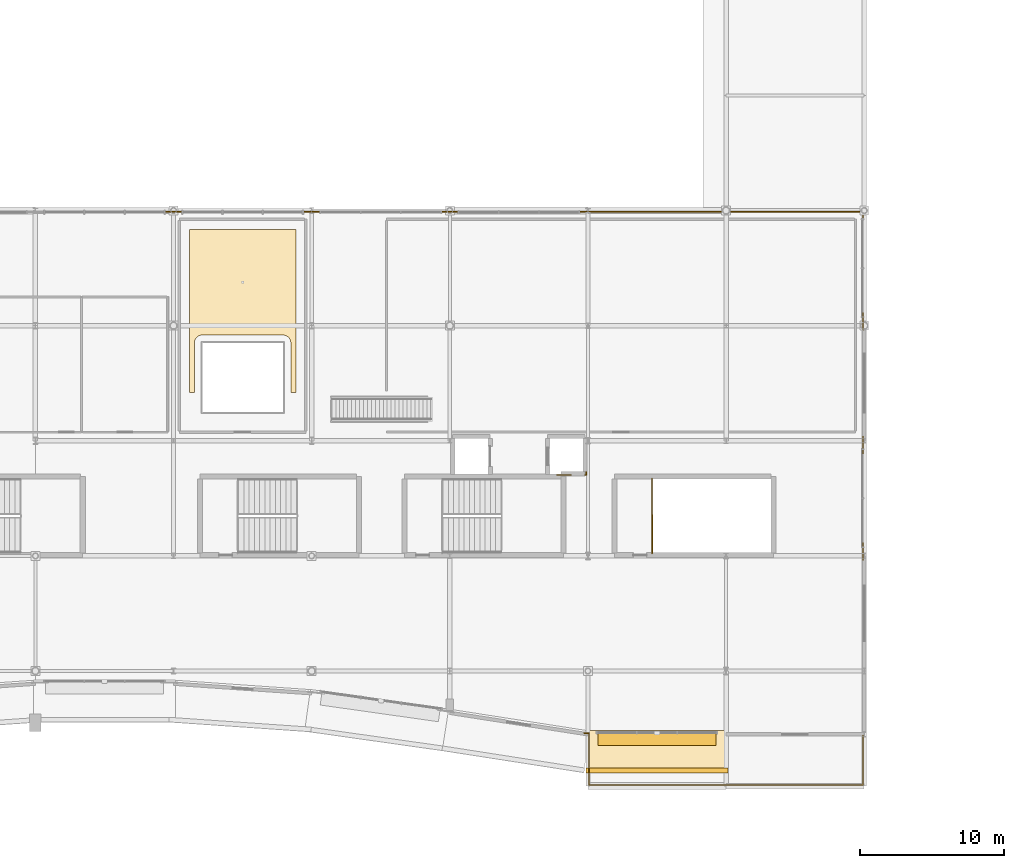
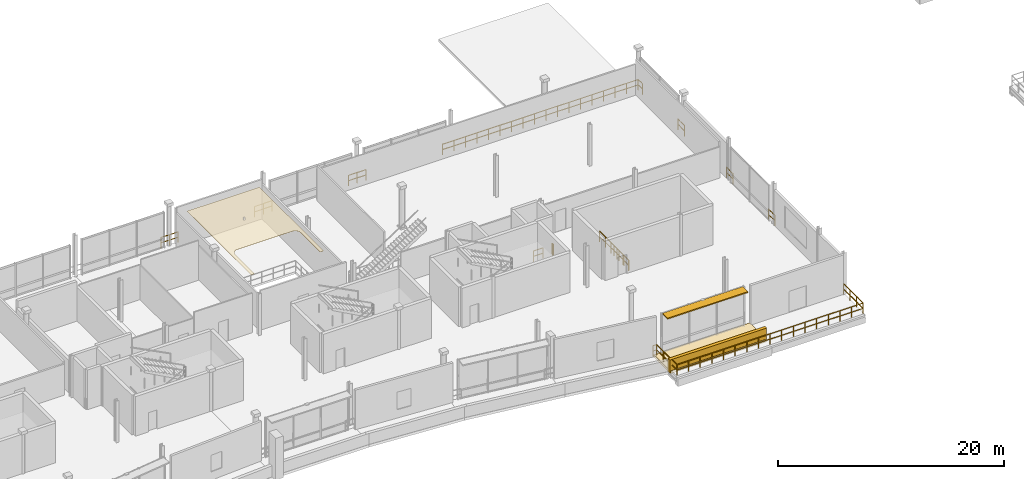
# One storey, part 53 of 59: 12 railings, 3 coverings, 1 shading device.
"""IFC4 building model written with IfcOpenShell, lengths in metres."""

import ifcopenshell
import ifcopenshell.guid

model = None  # the IFC model being written
_history = None  # IfcOwnerHistory: only IFC2X3 demands one
_inside = {}  # id of a spatial element -> (the spatial element, [elements in it])
_under = {}  # id of a project, library or spatial element -> (it, [spatial elements below it])
_declared = {}  # id of a project -> (the project, [libraries it declares])
_typed = {}  # id of a type object -> (the type object, [elements of that type])
_made_of = {}  # id of a material, layer set ... -> (it, [elements and type objects made of it])


def new_model(schema):
    """Start an empty IFC model of exactly this schema.

    Asked for "IFC4X3", IfcOpenShell would pick the latest addendum, in which some entities
    have other attributes; the version numbers below select the first issue.
    IFC2X3 requires an IfcOwnerHistory on every rooted entity: one is made here for all.
    """
    global model, _history
    if schema == "IFC4X3":
        model = ifcopenshell.file(schema_version=(4, 3, 0, 0))
    else:
        model = ifcopenshell.file(schema=schema)
    _inside.clear()
    _under.clear()
    _declared.clear()
    _typed.clear()
    _made_of.clear()
    _history = None
    if model.schema == "IFC2X3":
        org = make("IfcOrganization", Name="unknown")
        user = make(
            "IfcPersonAndOrganization",
            ThePerson=make("IfcPerson", FamilyName="unknown"),
            TheOrganization=org,
        )
        app = make(
            "IfcApplication",
            ApplicationDeveloper=org,
            Version="unknown",
            ApplicationFullName="unknown",
            ApplicationIdentifier="unknown",
        )
        _history = make(
            "IfcOwnerHistory",
            OwningUser=user,
            OwningApplication=app,
            ChangeAction="ADDED",
            CreationDate=0,
        )
    return model


def make(cls, **values):
    """One entity of the class cls with the attributes given. An attribute that is None is left unset."""
    return model.create_entity(
        cls, **{name: value for name, value in values.items() if value is not None}
    )


def rooted(cls, **values):
    """An entity with a GlobalId (a new one), such as an element, a storey or a relation."""
    return make(cls, GlobalId=ifcopenshell.guid.new(), OwnerHistory=_history, **values)


def si_unit(unit_type, name, prefix=None):
    """IfcSIUnit, for example si_unit("LENGTHUNIT", "METRE", prefix="MILLI")."""
    return make("IfcSIUnit", UnitType=unit_type, Prefix=prefix, Name=name)


def assignment(units):
    """IfcUnitAssignment: the units of a project."""
    return None if units is None else make("IfcUnitAssignment", Units=units)


def point(xyz):
    """IfcCartesianPoint."""
    return None if xyz is None else make("IfcCartesianPoint", Coordinates=xyz)


def direction(xyz):
    """IfcDirection."""
    return None if xyz is None else make("IfcDirection", DirectionRatios=xyz)


def frame(location, z_axis=None, x_axis=None):
    """IfcAxis2Placement3D, a coordinate frame: its origin and axes. An axis left out is left unset."""
    return make(
        "IfcAxis2Placement3D",
        Location=point(location),
        Axis=direction(z_axis),
        RefDirection=direction(x_axis),
    )


def frame_2d(location, x_axis=None):
    """IfcAxis2Placement2D, a coordinate frame in the plane: its origin and x axis."""
    return make(
        "IfcAxis2Placement2D", Location=point(location), RefDirection=direction(x_axis)
    )


def origin():
    """The frame at (0, 0, 0) with its axes left unset."""
    return frame((0.0, 0.0, 0.0))


def origin_2d():
    """The frame at (0, 0) in the plane with its x axis left unset."""
    return frame_2d((0.0, 0.0))


def place(relative_to, where):
    """IfcLocalPlacement: puts the frame where relative to a parent placement (None: the world)."""
    return make(
        "IfcLocalPlacement", PlacementRelTo=relative_to, RelativePlacement=where
    )


def context(
    kind, dimensions, precision=None, world=None, true_north=None, identifier=None
):
    """IfcGeometricRepresentationContext, for example the 3D "Model" context."""
    return make(
        "IfcGeometricRepresentationContext",
        ContextIdentifier=identifier,
        ContextType=kind,
        CoordinateSpaceDimension=dimensions,
        Precision=precision,
        WorldCoordinateSystem=world,
        TrueNorth=true_north,
    )


def subcontext(parent, identifier, kind, view, scale=None):
    """IfcGeometricRepresentationSubContext, for example "Body" below "Model"."""
    return make(
        "IfcGeometricRepresentationSubContext",
        ContextIdentifier=identifier,
        ContextType=kind,
        ParentContext=parent,
        TargetScale=scale,
        TargetView=view,
    )


def project(units=None, contexts=None):
    """IfcProject with its units and contexts."""
    return rooted(
        "IfcProject",
        Name="project",
        RepresentationContexts=contexts,
        UnitsInContext=assignment(units),
    )


def spatial(cls, under=None, at=None, **own):
    """A site, building, storey or space (cls), placed at a placement, below another one or the project."""
    s = rooted(cls, ObjectPlacement=at, **own)
    if under is not None:
        _under.setdefault(under.id(), (under, []))[1].append(s)
    return s


def polyline(points):
    """IfcPolyline through the points."""
    return make("IfcPolyline", Points=[point(p) for p in points])


def profile(cls, at=None, kind="AREA", **sizes):
    """A parametric profile (cls). Its sizes go by their IFC names, for example OverallWidth=200.0."""
    return make(cls, ProfileType=kind, Position=at, **sizes)


def rectangle(**sizes):
    """IfcRectangleProfileDef."""
    return profile("IfcRectangleProfileDef", **sizes)


def circle(**sizes):
    """IfcCircleProfileDef."""
    return profile("IfcCircleProfileDef", **sizes)


def outline(outer, holes=None, kind="AREA"):
    """IfcArbitraryClosedProfileDef: a profile drawn as a closed curve; with holes, ...WithVoids."""
    if holes is None:
        return make("IfcArbitraryClosedProfileDef", ProfileType=kind, OuterCurve=outer)
    return make(
        "IfcArbitraryProfileDefWithVoids",
        ProfileType=kind,
        OuterCurve=outer,
        InnerCurves=holes,
    )


def extrude(swept, where, along, depth):
    """IfcExtrudedAreaSolid: the profile swept, set in the frame where, extruded along a direction by depth."""
    return make(
        "IfcExtrudedAreaSolid",
        SweptArea=swept,
        Position=where,
        ExtrudedDirection=direction(along),
        Depth=depth,
    )


def shape(context_of_items, identifier, shape_type, items):
    """IfcShapeRepresentation: the items that make up one representation, for example the "Body"."""
    return make(
        "IfcShapeRepresentation",
        ContextOfItems=context_of_items,
        RepresentationIdentifier=identifier,
        RepresentationType=shape_type,
        Items=items,
    )


def material(Name=None, Category=None):
    """IfcMaterial."""
    return make("IfcMaterial", Name=Name, Category=Category)


def layer(
    of_material, thickness, ventilated=None, Name=None, Category=None, Priority=None
):
    """IfcMaterialLayer: one layer of a wall or slab, of a material (None: an air gap)."""
    return make(
        "IfcMaterialLayer",
        Material=of_material,
        LayerThickness=thickness,
        IsVentilated=ventilated,
        Name=Name,
        Category=Category,
        Priority=Priority,
    )


def layer_set(layers, Name=None):
    """IfcMaterialLayerSet."""
    return make("IfcMaterialLayerSet", MaterialLayers=layers, LayerSetName=Name)


def made_of(thing, what):
    """Note that an element or type object is made of a material, layer set ...; save() writes the relation."""
    if what is not None:
        _made_of.setdefault(what.id(), (what, []))[1].append(thing)
    return thing


def type_object(cls, material=None, **own):
    """A type object (cls), such as IfcWallType, which elements share."""
    return made_of(rooted(cls, **own), material)


def element(
    cls,
    number,
    at=None,
    inside=None,
    cuts=None,
    type_object=None,
    material=None,
    context=None,
    identifier="Body",
    shape_type=None,
    held_by="IfcProductDefinitionShape",
    body=None,
    shapes=None,
    **own,
):
    """One element of the class cls, such as IfcWall. Its Tag is "e" and its number.

    at: its placement. inside: the storey or other place that contains it. cuts: it is an
    opening in that element (IfcRelVoidsElement). A single representation is given by context,
    identifier, shape_type and body (its items); several are given by shapes. held_by: the class
    of the entity that holds the representations. save() writes the other relations.
    """
    e = rooted(cls, Tag="e%d" % number, ObjectPlacement=at, **own)
    if body is not None:
        shapes = [shape(context, identifier, shape_type, body)]
    if shapes is not None:
        e.Representation = make(held_by, Representations=shapes)
    if inside is not None:
        _inside.setdefault(inside.id(), (inside, []))[1].append(e)
    if cuts is not None:
        rooted(
            "IfcRelVoidsElement", RelatingBuildingElement=cuts, RelatedOpeningElement=e
        )
    if type_object is not None:
        _typed.setdefault(type_object.id(), (type_object, []))[1].append(e)
    return made_of(e, material)


def aggregate(whole, parts):
    """IfcRelAggregates: a whole, such as a stair, and the parts it consists of."""
    return rooted("IfcRelAggregates", RelatingObject=whole, RelatedObjects=parts)


def save(model, path):
    """Write the relations noted so far, then the file.

    IfcRelAggregates (storeys below a building ...), IfcRelContainedInSpatialStructure (elements
    in a storey), IfcRelDefinesByType, IfcRelAssociatesMaterial and IfcRelDeclares: one each for
    every whole, place, type object, material and project.
    """
    for whole, parts in _under.values():
        aggregate(whole, parts)
    for where, things in _inside.values():
        rooted(
            "IfcRelContainedInSpatialStructure",
            RelatedElements=things,
            RelatingStructure=where,
        )
    for kind, things in _typed.values():
        rooted("IfcRelDefinesByType", RelatedObjects=things, RelatingType=kind)
    for what, things in _made_of.values():
        rooted("IfcRelAssociatesMaterial", RelatedObjects=things, RelatingMaterial=what)
    for by, libraries in _declared.values():
        rooted("IfcRelDeclares", RelatingContext=by, RelatedDefinitions=libraries)
    model.write(path)


model = new_model("IFC4")

# Units and contexts
model_context = context("Model", 3, precision=1e-05, world=origin(), true_north=direction((0.0, 1.0)))
body_context = subcontext(model_context, "Body", "Model", "MODEL_VIEW")
ifc_project = project(units=[si_unit("LENGTHUNIT", "METRE"), si_unit("AREAUNIT", "SQUARE_METRE"), si_unit("VOLUMEUNIT", "CUBIC_METRE"), si_unit("PLANEANGLEUNIT", "RADIAN"), si_unit("MASSUNIT", "GRAM", prefix="KILO")], contexts=[model_context])

# Site, building, storey
site_placement = place(None, origin())
site = spatial("IfcSite", under=ifc_project, at=site_placement, CompositionType="ELEMENT")
building_placement = place(site_placement, origin())
building = spatial("IfcBuilding", under=site, at=building_placement, Name="Danafjord Basin Convention Centre", CompositionType="ELEMENT")
storey_placement = place(building_placement, frame((0.0, 0.0, 15.89990234375)))
storey = spatial("IfcBuildingStorey", under=building, at=storey_placement, Name="L03", CompositionType="ELEMENT", Elevation=15.89990234375)

# Coverings
ifc_material_1 = material(Name="Architectural white precast concrete C45/55", Category="concrete")
ifc_layer_1 = layer(ifc_material_1, 0.320068359375)
ifc_layer_set_1 = layer_set([ifc_layer_1], Name="Architectural white precast concrete C45/55")
covering_type_1 = type_object("IfcCoveringType", Name="COV-BAND-HORIZ", PredefinedType="CLADDING", material=ifc_layer_set_1)
covering_1_placement = place(storey_placement, frame((100.800048828125, 2.375, -0.27978515625), z_axis=(0.0, 0.0, 1.0), x_axis=(1.0, 0.0, 0.0)))
element("IfcCovering", 1, at=covering_1_placement, inside=storey, type_object=covering_type_1, Name="L03 stepped horizontal band soffit plate 35", PredefinedType="CLADDING", context=body_context, shape_type="SweptSolid", body=[
    extrude(rectangle(XDim=9.840087890625, YDim=2.949951171875, at=origin_2d()), origin(), (0.0, 0.0, 1.0), 0.280029296875),
])
covering_2_placement = place(storey_placement, frame((100.800048828125, 1.090087890625, -0.23974609375), z_axis=(0.0, 0.0, 1.0), x_axis=(1.0, 0.0, 0.0)))
element("IfcCovering", 2, at=covering_2_placement, inside=storey, type_object=covering_type_1, Name="L03 layered horizontal white spandrel band 35", PredefinedType="CLADDING", context=body_context, shape_type="SweptSolid", body=[
    extrude(rectangle(XDim=9.8798828125, YDim=0.320068359375, at=origin_2d()), origin(), (0.0, 0.0, 1.0), 1.419921875),
])
ifc_material_2 = material(Name="Acoustic mineral-fibre tile ceiling")
ifc_layer_2 = layer(ifc_material_2, 0.030029296875)
ifc_layer_set_2 = layer_set([ifc_layer_2], Name="Acoustic mineral-fibre tile ceiling")
covering_type_2 = type_object("IfcCoveringType", Name="COV-CLG-GYP01", PredefinedType="CEILING", material=ifc_layer_set_2)
covering_3_placement = place(storey_placement, frame((0.0, 0.0, 4.0)))
element("IfcCovering", 3, at=covering_3_placement, inside=storey, type_object=covering_type_2, Name="Gota Boardroom Suite M304 acoustic ceiling", PredefinedType="CEILING", context=body_context, shape_type="SweptSolid", body=[
    extrude(outline(polyline([(75.699951171875, 38.699951171875), (75.699951171875, 27.35009765625), (75.35009765625, 27.35009765625), (75.35009765625, 30.800048828125), (75.346923828125, 30.85400390625), (75.339111328125, 30.906982421875), (75.325927734375, 30.9599609375), (75.30810546875, 31.010009765625), (75.284912109375, 31.05908203125), (75.257080078125, 31.10595703125), (75.22509765625, 31.14892578125), (75.18896484375, 31.18896484375), (75.14892578125, 31.22509765625), (75.10595703125, 31.257080078125), (75.05908203125, 31.284912109375), (75.010009765625, 31.30810546875), (74.9599609375, 31.325927734375), (74.906982421875, 31.339111328125), (74.85400390625, 31.346923828125), (74.800048828125, 31.35009765625), (69.199951171875, 31.35009765625), (69.14599609375, 31.346923828125), (69.093017578125, 31.339111328125), (69.0400390625, 31.325927734375), (68.989990234375, 31.30810546875), (68.94091796875, 31.284912109375), (68.89404296875, 31.257080078125), (68.85107421875, 31.22509765625), (68.81103515625, 31.18896484375), (68.77490234375, 31.14892578125), (68.742919921875, 31.10595703125), (68.715087890625, 31.05908203125), (68.69189453125, 31.010009765625), (68.674072265625, 30.9599609375), (68.660888671875, 30.906982421875), (68.653076171875, 30.85400390625), (68.64990234375, 30.800048828125), (68.64990234375, 27.35009765625), (68.300048828125, 27.35009765625), (68.300048828125, 38.699951171875), (75.699951171875, 38.699951171875)])), origin(), (0.0, 0.0, 1.0), 0.030029296875),
])

# Railings
ifc_material_3 = material(Name="Laminated structural glass and stainless steel", Category="steel")
railing_type_1 = type_object("IfcRailingType", Name="RL-BAL-GLS", PredefinedType="BALUSTRADE", material=ifc_material_3)
for number, where, name in (
    (4, (66.320068359375, 39.919921875, 0.0), "L03 safety guard balustrade 243"),
    (5, (75.919921875, 39.919921875, 0.0), "L03 safety guard balustrade 244"),
    (6, (85.52001953125, 39.919921875, 0.0), "L03 safety guard balustrade 245"),
):
    element("IfcRailing", number, at=place(storey_placement, frame(where)), inside=storey, type_object=railing_type_1, Name=name, PredefinedType="BALUSTRADE", context=body_context, shape_type="SweptSolid", body=[
        extrude(circle(Radius=0.02392578125, at=origin_2d()), frame((0.0, 0.0, 1.1259765625), z_axis=(1.0, 0.0, 0.0), x_axis=(0.0, 1.0, 0.0)), (0.0, 0.0, 1.0), 1.760009765625),
        extrude(circle(Radius=0.02392578125, at=origin_2d()), frame((0.0, 0.0, 0.55078125), z_axis=(1.0, 0.0, 0.0), x_axis=(0.0, 1.0, 0.0)), (0.0, 0.0, 1.0), 1.760009765625),
        extrude(circle(Radius=0.02099609375, at=origin_2d()), origin(), (0.0, 0.0, 1.0), 1.099853515625),
        extrude(circle(Radius=0.02099609375, at=origin_2d()), frame((0.8798828125, 0.0, 0.0)), (0.0, 0.0, 1.0), 1.099853515625),
        extrude(circle(Radius=0.02099609375, at=origin_2d()), frame((1.760009765625, 0.0, 0.0)), (0.0, 0.0, 1.0), 1.099853515625),
    ])
railing_1_placement = place(storey_placement, frame((95.1201171875, 39.919921875, 0.0)))
element("IfcRailing", 7, at=railing_1_placement, inside=storey, type_object=railing_type_1, Name="L03 safety guard balustrade 246", PredefinedType="BALUSTRADE", context=body_context, shape_type="SweptSolid", body=[
    extrude(circle(Radius=0.02392578125, at=origin_2d()), frame((0.0, 0.0, 1.1259765625), z_axis=(1.0, 0.0, 0.0), x_axis=(0.0, 1.0, 0.0)), (0.0, 0.0, 1.0), 20.0),
    extrude(circle(Radius=0.02392578125, at=origin_2d()), frame((0.0, 0.0, 0.55078125), z_axis=(1.0, 0.0, 0.0), x_axis=(0.0, 1.0, 0.0)), (0.0, 0.0, 1.0), 20.0),
    extrude(circle(Radius=0.02392578125, at=origin_2d()), frame((20.0, 0.0, 1.1259765625), z_axis=(0.0, -1.0, 0.0), x_axis=(1.0, 0.0, 0.0)), (0.0, 0.0, 1.0), 0.7998046875),
    extrude(circle(Radius=0.02392578125, at=origin_2d()), frame((20.0, 0.0, 0.55078125), z_axis=(0.0, -1.0, 0.0), x_axis=(1.0, 0.0, 0.0)), (0.0, 0.0, 1.0), 0.7998046875),
    extrude(circle(Radius=0.02099609375, at=origin_2d()), origin(), (0.0, 0.0, 1.0), 1.099853515625),
    extrude(circle(Radius=0.02099609375, at=origin_2d()), frame((1.176513671875, 0.0, 0.0)), (0.0, 0.0, 1.0), 1.099853515625),
    extrude(circle(Radius=0.02099609375, at=origin_2d()), frame((2.35302734375, 0.0, 0.0)), (0.0, 0.0, 1.0), 1.099853515625),
    extrude(circle(Radius=0.02099609375, at=origin_2d()), frame((3.529296875, 0.0, 0.0)), (0.0, 0.0, 1.0), 1.099853515625),
    extrude(circle(Radius=0.02099609375, at=origin_2d()), frame((4.705810546875, 0.0, 0.0)), (0.0, 0.0, 1.0), 1.099853515625),
    extrude(circle(Radius=0.02099609375, at=origin_2d()), frame((5.88232421875, 0.0, 0.0)), (0.0, 0.0, 1.0), 1.099853515625),
    extrude(circle(Radius=0.02099609375, at=origin_2d()), frame((7.058837890625, 0.0, 0.0)), (0.0, 0.0, 1.0), 1.099853515625),
    extrude(circle(Radius=0.02099609375, at=origin_2d()), frame((8.2353515625, 0.0, 0.0)), (0.0, 0.0, 1.0), 1.099853515625),
    extrude(circle(Radius=0.02099609375, at=origin_2d()), frame((9.411865234375, 0.0, 0.0)), (0.0, 0.0, 1.0), 1.099853515625),
    extrude(circle(Radius=0.02099609375, at=origin_2d()), frame((10.588134765625, 0.0, 0.0)), (0.0, 0.0, 1.0), 1.099853515625),
    extrude(circle(Radius=0.02099609375, at=origin_2d()), frame((11.7646484375, 0.0, 0.0)), (0.0, 0.0, 1.0), 1.099853515625),
    extrude(circle(Radius=0.02099609375, at=origin_2d()), frame((12.941162109375, 0.0, 0.0)), (0.0, 0.0, 1.0), 1.099853515625),
    extrude(circle(Radius=0.02099609375, at=origin_2d()), frame((14.11767578125, 0.0, 0.0)), (0.0, 0.0, 1.0), 1.099853515625),
    extrude(circle(Radius=0.02099609375, at=origin_2d()), frame((15.294189453125, 0.0, 0.0)), (0.0, 0.0, 1.0), 1.099853515625),
    extrude(circle(Radius=0.02099609375, at=origin_2d()), frame((16.470703125, 0.0, 0.0)), (0.0, 0.0, 1.0), 1.099853515625),
    extrude(circle(Radius=0.02099609375, at=origin_2d()), frame((17.64697265625, 0.0, 0.0)), (0.0, 0.0, 1.0), 1.099853515625),
    extrude(circle(Radius=0.02099609375, at=origin_2d()), frame((18.823486328125, 0.0, 0.0)), (0.0, 0.0, 1.0), 1.099853515625),
    extrude(circle(Radius=0.02099609375, at=origin_2d()), frame((20.0, 0.0, 0.0)), (0.0, 0.0, 1.0), 1.099853515625),
    extrude(circle(Radius=0.02099609375, at=origin_2d()), frame((20.0, -0.7998046875, 0.0)), (0.0, 0.0, 1.0), 1.099853515625),
])
for number, where, name in (
    (8, (115.1201171875, 32.8798828125, 0.0), "L03 safety guard balustrade 247"),
    (9, (115.1201171875, 24.280029296875, 0.0), "L03 safety guard balustrade 248"),
    (10, (115.1201171875, 16.8798828125, 0.0), "L03 safety guard balustrade 249"),
):
    element("IfcRailing", number, at=place(storey_placement, frame(where)), inside=storey, type_object=railing_type_1, Name=name, PredefinedType="BALUSTRADE", context=body_context, shape_type="SweptSolid", body=[
        extrude(circle(Radius=0.02392578125, at=origin_2d()), frame((0.0, 0.0, 1.1259765625), z_axis=(0.0, -1.0, 0.0), x_axis=(1.0, 0.0, 0.0)), (0.0, 0.0, 1.0), 1.159912109375),
        extrude(circle(Radius=0.02392578125, at=origin_2d()), frame((0.0, 0.0, 0.55078125), z_axis=(0.0, -1.0, 0.0), x_axis=(1.0, 0.0, 0.0)), (0.0, 0.0, 1.0), 1.159912109375),
        extrude(circle(Radius=0.02099609375, at=origin_2d()), origin(), (0.0, 0.0, 1.0), 1.099853515625),
        extrude(circle(Radius=0.02099609375, at=origin_2d()), frame((0.0, -1.159912109375, 0.0)), (0.0, 0.0, 1.0), 1.099853515625),
    ])
railing_2_placement = place(storey_placement, frame((115.1201171875, 3.52490234375, 0.0)))
element("IfcRailing", 11, at=railing_2_placement, inside=storey, type_object=railing_type_1, Name="L03 safety guard balustrade 250", PredefinedType="BALUSTRADE", context=body_context, shape_type="SweptSolid", body=[
    extrude(circle(Radius=0.02392578125, at=origin_2d()), frame((0.0, 0.0, 1.1259765625), z_axis=(0.0, -1.0, 0.0), x_axis=(1.0, 0.0, 0.0)), (0.0, 0.0, 1.0), 3.44482421875),
    extrude(circle(Radius=0.02392578125, at=origin_2d()), frame((0.0, 0.0, 0.55078125), z_axis=(0.0, -1.0, 0.0), x_axis=(1.0, 0.0, 0.0)), (0.0, 0.0, 1.0), 3.44482421875),
    extrude(circle(Radius=0.02392578125, at=origin_2d()), frame((0.0, -3.44482421875, 1.1259765625), z_axis=(-1.0, 0.0, 0.0), x_axis=(0.0, -1.0, 0.0)), (0.0, 0.0, 1.0), 19.0400390625),
    extrude(circle(Radius=0.02392578125, at=origin_2d()), frame((0.0, -3.44482421875, 0.55078125), z_axis=(-1.0, 0.0, 0.0), x_axis=(0.0, -1.0, 0.0)), (0.0, 0.0, 1.0), 19.0400390625),
    extrude(circle(Radius=0.02392578125, at=origin_2d()), frame((-19.0400390625, -3.44482421875, 1.1259765625), z_axis=(0.0, 1.0, 0.0), x_axis=(-1.0, 0.0, 0.0)), (0.0, 0.0, 1.0), 3.599853515625),
    extrude(circle(Radius=0.02392578125, at=origin_2d()), frame((-19.0400390625, -3.44482421875, 0.55078125), z_axis=(0.0, 1.0, 0.0), x_axis=(-1.0, 0.0, 0.0)), (0.0, 0.0, 1.0), 3.599853515625),
    extrude(circle(Radius=0.02392578125, at=origin_2d()), frame((-19.0400390625, 0.155029296875, 1.1259765625), z_axis=(-1.0, 0.0, 0.0), x_axis=(0.0, -1.0, 0.0)), (0.0, 0.0, 1.0), 0.34814453125),
    extrude(circle(Radius=0.02392578125, at=origin_2d()), frame((-19.0400390625, 0.155029296875, 0.55078125), z_axis=(-1.0, 0.0, 0.0), x_axis=(0.0, -1.0, 0.0)), (0.0, 0.0, 1.0), 0.34814453125),
    extrude(circle(Radius=0.02099609375, at=origin_2d()), origin(), (0.0, 0.0, 1.0), 1.099853515625),
    extrude(circle(Radius=0.02099609375, at=origin_2d()), frame((0.0, -1.148193359375, 0.0)), (0.0, 0.0, 1.0), 1.099853515625),
    extrude(circle(Radius=0.02099609375, at=origin_2d()), frame((0.0, -2.296630859375, 0.0)), (0.0, 0.0, 1.0), 1.099853515625),
    extrude(circle(Radius=0.02099609375, at=origin_2d()), frame((0.0, -3.44482421875, 0.0)), (0.0, 0.0, 1.0), 1.099853515625),
    extrude(circle(Radius=0.02099609375, at=origin_2d()), frame((-1.18994140625, -3.44482421875, 0.0)), (0.0, 0.0, 1.0), 1.099853515625),
    extrude(circle(Radius=0.02099609375, at=origin_2d()), frame((-2.3798828125, -3.44482421875, 0.0)), (0.0, 0.0, 1.0), 1.099853515625),
    extrude(circle(Radius=0.02099609375, at=origin_2d()), frame((-3.570068359375, -3.44482421875, 0.0)), (0.0, 0.0, 1.0), 1.099853515625),
    extrude(circle(Radius=0.02099609375, at=origin_2d()), frame((-4.760009765625, -3.44482421875, 0.0)), (0.0, 0.0, 1.0), 1.099853515625),
    extrude(circle(Radius=0.02099609375, at=origin_2d()), frame((-5.949951171875, -3.44482421875, 0.0)), (0.0, 0.0, 1.0), 1.099853515625),
    extrude(circle(Radius=0.02099609375, at=origin_2d()), frame((-7.14013671875, -3.44482421875, 0.0)), (0.0, 0.0, 1.0), 1.099853515625),
    extrude(circle(Radius=0.02099609375, at=origin_2d()), frame((-8.330078125, -3.44482421875, 0.0)), (0.0, 0.0, 1.0), 1.099853515625),
    extrude(circle(Radius=0.02099609375, at=origin_2d()), frame((-9.52001953125, -3.44482421875, 0.0)), (0.0, 0.0, 1.0), 1.099853515625),
    extrude(circle(Radius=0.02099609375, at=origin_2d()), frame((-10.7099609375, -3.44482421875, 0.0)), (0.0, 0.0, 1.0), 1.099853515625),
    extrude(circle(Radius=0.02099609375, at=origin_2d()), frame((-11.89990234375, -3.44482421875, 0.0)), (0.0, 0.0, 1.0), 1.099853515625),
    extrude(circle(Radius=0.02099609375, at=origin_2d()), frame((-13.090087890625, -3.44482421875, 0.0)), (0.0, 0.0, 1.0), 1.099853515625),
    extrude(circle(Radius=0.02099609375, at=origin_2d()), frame((-14.280029296875, -3.44482421875, 0.0)), (0.0, 0.0, 1.0), 1.099853515625),
    extrude(circle(Radius=0.02099609375, at=origin_2d()), frame((-15.469970703125, -3.44482421875, 0.0)), (0.0, 0.0, 1.0), 1.099853515625),
    extrude(circle(Radius=0.02099609375, at=origin_2d()), frame((-16.66015625, -3.44482421875, 0.0)), (0.0, 0.0, 1.0), 1.099853515625),
    extrude(circle(Radius=0.02099609375, at=origin_2d()), frame((-17.85009765625, -3.44482421875, 0.0)), (0.0, 0.0, 1.0), 1.099853515625),
    extrude(circle(Radius=0.02099609375, at=origin_2d()), frame((-19.0400390625, -3.44482421875, 0.0)), (0.0, 0.0, 1.0), 1.099853515625),
    extrude(circle(Radius=0.02099609375, at=origin_2d()), frame((-19.0400390625, -2.244873046875, 0.0)), (0.0, 0.0, 1.0), 1.099853515625),
    extrude(circle(Radius=0.02099609375, at=origin_2d()), frame((-19.0400390625, -1.044921875, 0.0)), (0.0, 0.0, 1.0), 1.099853515625),
    extrude(circle(Radius=0.02099609375, at=origin_2d()), frame((-19.0400390625, 0.155029296875, 0.0)), (0.0, 0.0, 1.0), 1.099853515625),
    extrude(circle(Radius=0.02099609375, at=origin_2d()), frame((-19.38818359375, 0.155029296875, 0.0)), (0.0, 0.0, 1.0), 1.099853515625),
])
railing_3_placement = place(storey_placement, frame((100.449951171875, 21.375, 0.0)))
element("IfcRailing", 12, at=railing_3_placement, inside=storey, type_object=railing_type_1, Name="L03 safety guard balustrade 260", PredefinedType="BALUSTRADE", context=body_context, shape_type="SweptSolid", body=[
    extrude(circle(Radius=0.02392578125, at=origin_2d()), frame((0.0, 0.0, 1.1259765625), z_axis=(0.0, -1.0, 0.0), x_axis=(1.0, 0.0, 0.0)), (0.0, 0.0, 1.0), 5.18994140625),
    extrude(circle(Radius=0.02392578125, at=origin_2d()), frame((0.0, 0.0, 0.55078125), z_axis=(0.0, -1.0, 0.0), x_axis=(1.0, 0.0, 0.0)), (0.0, 0.0, 1.0), 5.18994140625),
    extrude(circle(Radius=0.02099609375, at=origin_2d()), origin(), (0.0, 0.0, 1.0), 1.099853515625),
    extrude(circle(Radius=0.02099609375, at=origin_2d()), frame((0.0, -1.0380859375, 0.0)), (0.0, 0.0, 1.0), 1.099853515625),
    extrude(circle(Radius=0.02099609375, at=origin_2d()), frame((0.0, -2.075927734375, 0.0)), (0.0, 0.0, 1.0), 1.099853515625),
    extrude(circle(Radius=0.02099609375, at=origin_2d()), frame((0.0, -3.114013671875, 0.0)), (0.0, 0.0, 1.0), 1.099853515625),
    extrude(circle(Radius=0.02099609375, at=origin_2d()), frame((0.0, -4.15185546875, 0.0)), (0.0, 0.0, 1.0), 1.099853515625),
    extrude(circle(Radius=0.02099609375, at=origin_2d()), frame((0.0, -5.18994140625, 0.0)), (0.0, 0.0, 1.0), 1.099853515625),
])
railing_4_placement = place(storey_placement, frame((95.800048828125, 21.6201171875, 0.0)))
element("IfcRailing", 13, at=railing_4_placement, inside=storey, type_object=railing_type_1, Name="L03 safety guard balustrade 262", PredefinedType="BALUSTRADE", context=body_context, shape_type="SweptSolid", body=[
    extrude(circle(Radius=0.02392578125, at=origin_2d()), frame((0.0, 0.0, 1.1259765625), z_axis=(1.0, 0.0, 0.0), x_axis=(0.0, 1.0, 0.0)), (0.0, 0.0, 1.0), 0.079833984375),
    extrude(circle(Radius=0.02392578125, at=origin_2d()), frame((0.0, 0.0, 0.55078125), z_axis=(1.0, 0.0, 0.0), x_axis=(0.0, 1.0, 0.0)), (0.0, 0.0, 1.0), 0.079833984375),
    extrude(circle(Radius=0.02392578125, at=origin_2d()), frame((0.079833984375, 0.0, 1.1259765625), z_axis=(0.0, 1.0, 0.0), x_axis=(-1.0, 0.0, 0.0)), (0.0, 0.0, 1.0), 0.21484375),
    extrude(circle(Radius=0.02392578125, at=origin_2d()), frame((0.079833984375, 0.0, 0.55078125), z_axis=(0.0, 1.0, 0.0), x_axis=(-1.0, 0.0, 0.0)), (0.0, 0.0, 1.0), 0.21484375),
    extrude(circle(Radius=0.02099609375, at=origin_2d()), origin(), (0.0, 0.0, 1.0), 1.099853515625),
    extrude(circle(Radius=0.02099609375, at=origin_2d()), frame((0.079833984375, 0.0, 0.0)), (0.0, 0.0, 1.0), 1.099853515625),
    extrude(circle(Radius=0.02099609375, at=origin_2d()), frame((0.079833984375, 0.21484375, 0.0)), (0.0, 0.0, 1.0), 1.099853515625),
])
ifc_material_4 = material(Name="Galvanised and powder-coated steel S355", Category="steel")
railing_type_2 = type_object("IfcRailingType", Name="RL-BAL-STL", PredefinedType="BALUSTRADE", material=ifc_material_4)
railing_5_placement = place(storey_placement, frame((93.85009765625, 21.6201171875, 0.0)))
element("IfcRailing", 14, at=railing_5_placement, inside=storey, type_object=railing_type_2, Name="L03 safety guard balustrade 261", PredefinedType="BALUSTRADE", context=body_context, shape_type="SweptSolid", body=[
    extrude(circle(Radius=0.02392578125, at=origin_2d()), frame((0.0, 0.0, 1.1259765625), z_axis=(1.0, 0.0, 0.0), x_axis=(0.0, 1.0, 0.0)), (0.0, 0.0, 1.0), 0.969970703125),
    extrude(circle(Radius=0.02392578125, at=origin_2d()), frame((0.0, 0.0, 0.55078125), z_axis=(1.0, 0.0, 0.0), x_axis=(0.0, 1.0, 0.0)), (0.0, 0.0, 1.0), 0.969970703125),
    extrude(circle(Radius=0.02099609375, at=origin_2d()), origin(), (0.0, 0.0, 1.0), 1.099853515625),
    extrude(circle(Radius=0.02099609375, at=origin_2d()), frame((0.969970703125, 0.0, 0.0)), (0.0, 0.0, 1.0), 1.099853515625),
])
ifc_material_5 = material(Name="Galvanised steel S355", Category="steel")
railing_type_3 = type_object("IfcRailingType", Name="RL-GD-WELL", PredefinedType="BALUSTRADE", material=ifc_material_5)
railing_6_placement = place(storey_placement, frame((100.47998046875, 16.2099609375, 0.0)))
element("IfcRailing", 15, at=railing_6_placement, inside=storey, type_object=railing_type_3, Name="L03 ST-04 top well guard 1", PredefinedType="BALUSTRADE", context=body_context, shape_type="SweptSolid", body=[
    extrude(circle(Radius=0.02392578125, at=origin_2d()), frame((0.0, 0.0, 1.076171875), z_axis=(0.0, 1.0, 0.0), x_axis=(-1.0, 0.0, 0.0)), (0.0, 0.0, 1.0), 2.64013671875),
    extrude(circle(Radius=0.02392578125, at=origin_2d()), frame((0.0, 0.0, 0.52587890625), z_axis=(0.0, 1.0, 0.0), x_axis=(-1.0, 0.0, 0.0)), (0.0, 0.0, 1.0), 2.64013671875),
    extrude(circle(Radius=0.02099609375, at=origin_2d()), origin(), (0.0, 0.0, 1.0), 1.050048828125),
    extrude(circle(Radius=0.02099609375, at=origin_2d()), frame((0.0, 0.880126953125, 0.0)), (0.0, 0.0, 1.0), 1.050048828125),
    extrude(circle(Radius=0.02099609375, at=origin_2d()), frame((0.0, 1.760009765625, 0.0)), (0.0, 0.0, 1.0), 1.050048828125),
    extrude(circle(Radius=0.02099609375, at=origin_2d()), frame((0.0, 2.64013671875, 0.0)), (0.0, 0.0, 1.0), 1.050048828125),
])

# Shading device
ifc_material_6 = material(Name="Anodised aluminium aerofoil sunshade", Category="aluminium")
shading_device_type = type_object("IfcShadingDeviceType", Name="SHD-SUN-A", PredefinedType="USERDEFINED", material=ifc_material_6)
shading_device_placement = place(storey_placement, frame((100.800048828125, 3.260009765625, 4.154052734375), z_axis=(0.0, 0.0, 1.0), x_axis=(1.0, 0.0, 0.0)))
element("IfcShadingDevice", 16, at=shading_device_placement, inside=storey, type_object=shading_device_type, Name="L03 cantilevered harbour sunshade 14", ObjectType="SUNSHADE", PredefinedType="USERDEFINED", context=body_context, shape_type="SweptSolid", body=[
    extrude(rectangle(XDim=8.199951171875, YDim=0.89990234375, at=origin_2d()), origin(), (0.0, 0.0, 1.0), 0.1201171875),
])

save(model, "model.ifc")
